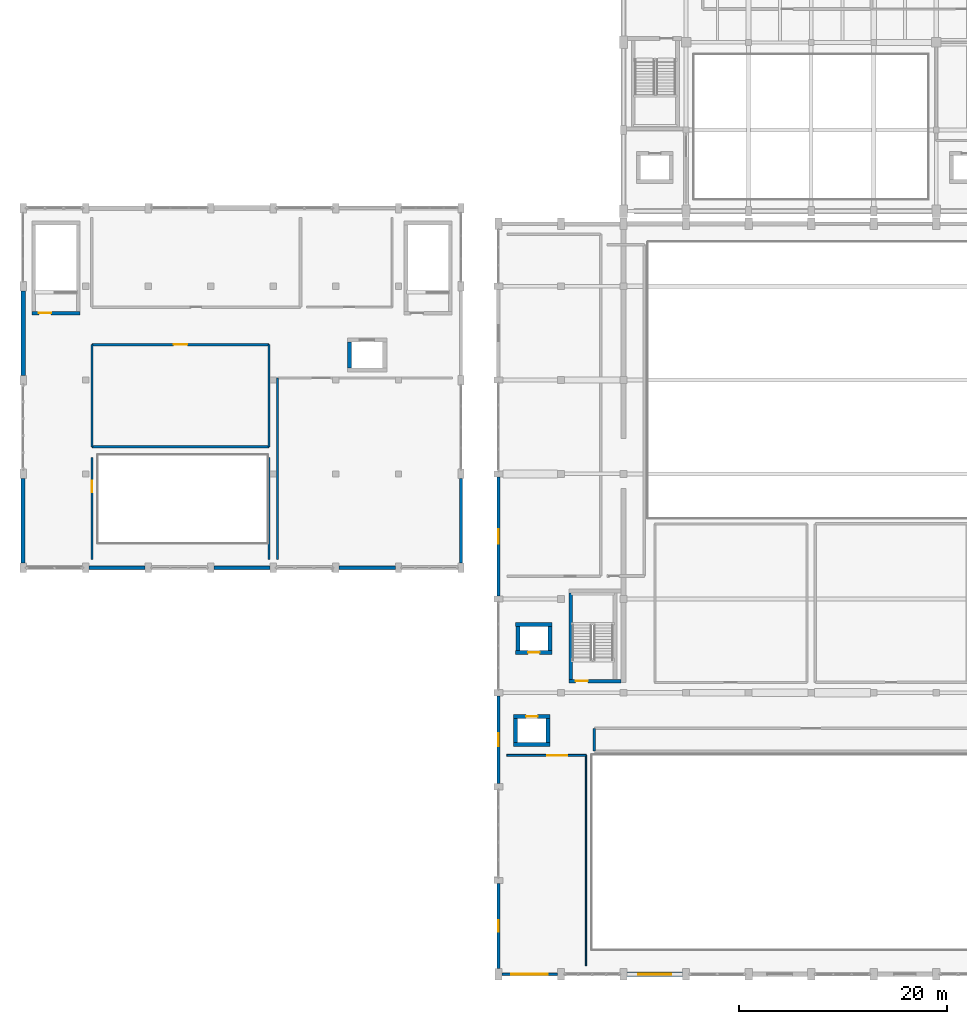
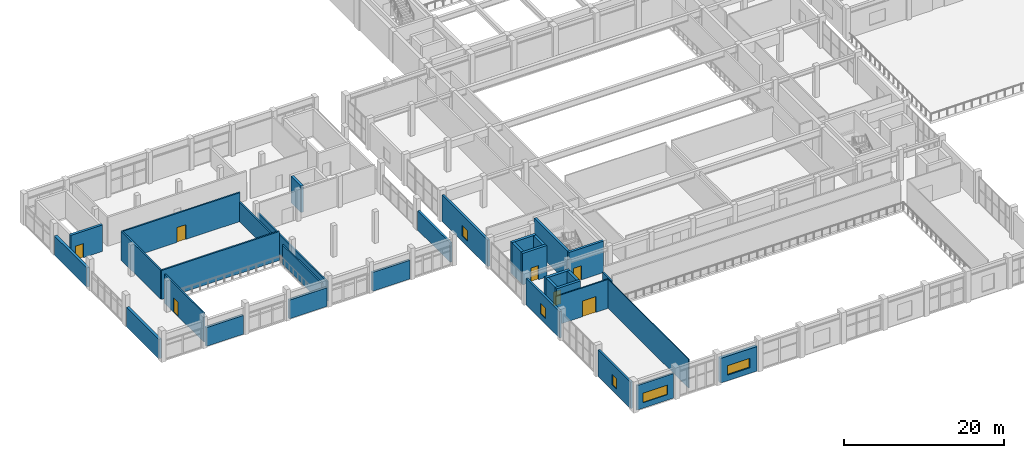
# One storey, part 39 of 62: 33 walls, 7 doors, 5 windows, 12 openings.
"""IFC4 building model written with IfcOpenShell, lengths in metres."""

from ifc_helpers import new_model, si_unit, direction, frame, frame_2d, origin, place, context, subcontext, project, spatial, rectangle, extrude, material, layer, layer_set, type_object, element, fill, save


model = new_model("IFC4")

# Units and contexts
model_context = context("Model", 3, precision=1e-05, world=origin(), true_north=direction((0.0, 1.0)))
body_context = subcontext(model_context, "Body", "Model", "MODEL_VIEW")
ifc_project = project(units=[si_unit("LENGTHUNIT", "METRE"), si_unit("AREAUNIT", "SQUARE_METRE"), si_unit("VOLUMEUNIT", "CUBIC_METRE"), si_unit("PLANEANGLEUNIT", "RADIAN"), si_unit("MASSUNIT", "GRAM", prefix="KILO")], contexts=[model_context])

# Site, building, storey
site_placement = place(None, origin())
site = spatial("IfcSite", under=ifc_project, at=site_placement, CompositionType="ELEMENT")
building_placement = place(site_placement, origin())
building = spatial("IfcBuilding", under=site, at=building_placement, Name="Vaelkrest Opera House", CompositionType="ELEMENT")
storey_placement = place(building_placement, frame((0.0, 0.0, 19.800048828125)))
storey = spatial("IfcBuildingStorey", under=building, at=storey_placement, Name="L04", CompositionType="ELEMENT", Elevation=19.800048828125)

# Wall, opening, window
ifc_material_1 = material(Name="Douglas fir glulam GL28h", Category="wood")
ifc_layer_1 = layer(ifc_material_1, 0.2548828125)
ifc_layer_set_1 = layer_set([ifc_layer_1], Name="Douglas fir glulam GL28h")
wall_type_1 = type_object("IfcWallType", Name="EW01", PredefinedType="STANDARD", material=ifc_layer_set_1)
wall_1_placement = place(storey_placement, frame((-24.347900390625, -55.800048828125, 0.0), z_axis=(0.0, 0.0, 1.0), x_axis=(-1.0, 0.0, 0.0)))
wall_1 = element("IfcWall", 1, at=wall_1_placement, inside=storey, type_object=wall_type_1, Name="Exterior facade wall EW-V1-L04-0101", PredefinedType="STANDARD", context=body_context, shape_type="SweptSolid", body=[
    extrude(rectangle(XDim=5.30419921875, YDim=0.2548828125, at=frame_2d((2.652099609375, 0.0))), origin(), (0.0, 0.0, 1.0), 3.744873046875),
])
opening_1_placement = place(wall_1_placement, frame((0.902099609375, 0.0, 0.85009765625)))
opening_1 = element("IfcOpeningElement", 2, at=opening_1_placement, cuts=wall_1, Name="Opening WN052", PredefinedType="OPENING", context=body_context, shape_type="SweptSolid", body=[
    extrude(rectangle(XDim=3.5, YDim=1.449951171875, at=frame_2d((1.75, 0.72509765625))), frame((0.0, 0.137451171875, 0.0), z_axis=(0.0, -1.0, 0.0), x_axis=(1.0, 0.0, 0.0)), (0.0, 0.0, 1.0), 0.27490234375),
])
ifc_material_2 = material(Name="Double low-E insulated glazing", Category="glass")
window_type_1 = type_object("IfcWindowType", Name="WT26", PartitioningType="SINGLE_PANEL", PredefinedType="WINDOW", material=ifc_material_2)
window_1_placement = place(opening_1_placement, origin())
window_1 = element("IfcWindow", 3, at=window_1_placement, inside=storey, type_object=window_type_1, Name="Facade window WN052", OverallHeight=1.449951171875, OverallWidth=3.5, PartitioningType="SINGLE_PANEL", PredefinedType="WINDOW", context=body_context, shape_type="SweptSolid", body=[
    extrude(rectangle(XDim=3.5, YDim=1.449951171875, at=frame_2d((1.75, 0.72509765625))), frame((0.0, 0.030029296875, 0.0), z_axis=(0.0, -1.0, 0.0), x_axis=(1.0, 0.0, 0.0)), (0.0, 0.0, 1.0), 0.06005859375),
])
fill(opening_1, window_1)

ifc_layer_2 = layer(ifc_material_1, 0.27490234375)
ifc_layer_set_2 = layer_set([ifc_layer_2], Name="Douglas fir glulam GL28h")
wall_type_2 = type_object("IfcWallType", Name="EW02", PredefinedType="STANDARD", material=ifc_layer_set_2)
wall_2_placement = place(storey_placement, frame((-30.0, -55.251953125, 0.0), z_axis=(0.0, 0.0, 1.0), x_axis=(0.0, 1.0, 0.0)))
wall_2 = element("IfcWall", 4, at=wall_2_placement, inside=storey, type_object=wall_type_2, Name="Exterior facade wall EW-V1-L04-0102", PredefinedType="STANDARD", context=body_context, shape_type="SweptSolid", body=[
    extrude(rectangle(XDim=8.154052734375, YDim=0.27490234375, at=frame_2d((4.0771484375, 0.0))), origin(), (0.0, 0.0, 1.0), 4.04296875),
])
opening_2_placement = place(wall_2_placement, frame((3.527099609375, 0.0, 0.85009765625)))
opening_2 = element("IfcOpeningElement", 5, at=opening_2_placement, cuts=wall_2, Name="Opening WN053", PredefinedType="OPENING", context=body_context, shape_type="SweptSolid", body=[
    extrude(rectangle(XDim=1.10009765625, YDim=1.60009765625, at=frame_2d((0.550048828125, 0.800048828125))), frame((0.0, 0.1474609375, 0.0), z_axis=(0.0, -1.0, 0.0), x_axis=(1.0, 0.0, 0.0)), (0.0, 0.0, 1.0), 0.294921875),
])
window_type_2 = type_object("IfcWindowType", Name="WT01", PartitioningType="SINGLE_PANEL", PredefinedType="WINDOW", material=ifc_material_2)
window_2_placement = place(opening_2_placement, origin())
window_2 = element("IfcWindow", 6, at=window_2_placement, inside=storey, type_object=window_type_2, Name="Facade window WN053", OverallHeight=1.60009765625, OverallWidth=1.10009765625, PartitioningType="SINGLE_PANEL", PredefinedType="WINDOW", context=body_context, shape_type="SweptSolid", body=[
    extrude(rectangle(XDim=1.10009765625, YDim=1.60009765625, at=frame_2d((0.550048828125, 0.800048828125))), frame((0.0, 0.030029296875, 0.0), z_axis=(0.0, -1.0, 0.0), x_axis=(1.0, 0.0, 0.0)), (0.0, 0.0, 1.0), 0.06005859375),
])
fill(opening_2, window_2)

ifc_layer_3 = layer(ifc_material_1, 0.294921875)
ifc_layer_set_3 = layer_set([ifc_layer_3], Name="Douglas fir glulam GL28h")
wall_type_3 = type_object("IfcWallType", Name="EW03", PredefinedType="STANDARD", material=ifc_layer_set_3)
wall_3_placement = place(storey_placement, frame((-30.0, -37.501953125, 0.0), z_axis=(0.0, 0.0, 1.0), x_axis=(0.0, 1.0, 0.0)))
wall_3 = element("IfcWall", 7, at=wall_3_placement, inside=storey, type_object=wall_type_3, Name="Exterior facade wall EW-V1-L04-0103", PredefinedType="STANDARD", context=body_context, shape_type="SweptSolid", body=[
    extrude(rectangle(XDim=8.404052734375, YDim=0.294921875, at=frame_2d((4.2021484375, 0.0))), origin(), (0.0, 0.0, 1.0), 4.04296875),
])
opening_3_placement = place(wall_3_placement, frame((3.576904296875, 0.0, 0.85009765625)))
opening_3 = element("IfcOpeningElement", 8, at=opening_3_placement, cuts=wall_3, Name="Opening WN054", PredefinedType="OPENING", context=body_context, shape_type="SweptSolid", body=[
    extrude(rectangle(XDim=1.25, YDim=1.60009765625, at=frame_2d((0.625, 0.800048828125))), frame((0.0, 0.157470703125, 0.0), z_axis=(0.0, -1.0, 0.0), x_axis=(1.0, 0.0, 0.0)), (0.0, 0.0, 1.0), 0.31494140625),
])
window_type_3 = type_object("IfcWindowType", Name="WT02", PartitioningType="SINGLE_PANEL", PredefinedType="WINDOW", material=ifc_material_2)
window_3_placement = place(opening_3_placement, origin())
window_3 = element("IfcWindow", 9, at=window_3_placement, inside=storey, type_object=window_type_3, Name="Facade window WN054", OverallHeight=1.60009765625, OverallWidth=1.25, PartitioningType="SINGLE_PANEL", PredefinedType="WINDOW", context=body_context, shape_type="SweptSolid", body=[
    extrude(rectangle(XDim=1.25, YDim=1.60009765625, at=frame_2d((0.625, 0.800048828125))), frame((0.0, 0.030029296875, 0.0), z_axis=(0.0, -1.0, 0.0), x_axis=(1.0, 0.0, 0.0)), (0.0, 0.0, 1.0), 0.06005859375),
])
fill(opening_3, window_3)

# Wall
wall_4_placement = place(storey_placement, frame((-33.60009765625, -8.248046875, 0.0), z_axis=(0.0, 0.0, 1.0), x_axis=(0.0, -1.0, 0.0)))
element("IfcWall", 10, at=wall_4_placement, inside=storey, type_object=wall_type_3, Name="Exterior facade wall EW-V3-L04-0203", PredefinedType="STANDARD", context=body_context, shape_type="SweptSolid", body=[
    extrude(rectangle(XDim=8.10400390625, YDim=0.294921875, at=frame_2d((4.052001953125, 0.0))), origin(), (0.0, 0.0, 1.0), 2.9580078125),
])

# Wall, opening, window
ifc_material_3 = material(Name="American black walnut acoustic timber", Category="wood")
ifc_layer_4 = layer(ifc_material_3, 0.31494140625)
ifc_layer_set_4 = layer_set([ifc_layer_4], Name="American black walnut acoustic timber")
wall_type_4 = type_object("IfcWallType", Name="EW04", PredefinedType="STANDARD", material=ifc_layer_set_4)
wall_5_placement = place(storey_placement, frame((-30.0, -19.501953125, 0.0), z_axis=(0.0, 0.0, 1.0), x_axis=(0.0, 1.0, 0.0)))
wall_5 = element("IfcWall", 11, at=wall_5_placement, inside=storey, type_object=wall_type_4, Name="Exterior facade wall EW-V1-L04-0104", PredefinedType="STANDARD", context=body_context, shape_type="SweptSolid", body=[
    extrude(rectangle(XDim=11.404052734375, YDim=0.31494140625, at=frame_2d((5.7021484375, 0.0))), origin(), (0.0, 0.0, 1.0), 4.04296875),
])
opening_4_placement = place(wall_5_placement, frame((5.001953125, 0.0, 0.85009765625)))
opening_4 = element("IfcOpeningElement", 12, at=opening_4_placement, cuts=wall_5, Name="Opening WN055", PredefinedType="OPENING", context=body_context, shape_type="SweptSolid", body=[
    extrude(rectangle(XDim=1.39990234375, YDim=1.60009765625, at=frame_2d((0.699951171875, 0.800048828125))), frame((0.0, 0.16748046875, 0.0), z_axis=(0.0, -1.0, 0.0), x_axis=(1.0, 0.0, 0.0)), (0.0, 0.0, 1.0), 0.3349609375),
])
window_type_4 = type_object("IfcWindowType", Name="WT03", PartitioningType="SINGLE_PANEL", PredefinedType="WINDOW", material=ifc_material_2)
window_4_placement = place(opening_4_placement, origin())
window_4 = element("IfcWindow", 13, at=window_4_placement, inside=storey, type_object=window_type_4, Name="Facade window WN055", OverallHeight=1.60009765625, OverallWidth=1.39990234375, PartitioningType="SINGLE_PANEL", PredefinedType="WINDOW", context=body_context, shape_type="SweptSolid", body=[
    extrude(rectangle(XDim=1.39990234375, YDim=1.60009765625, at=frame_2d((0.699951171875, 0.800048828125))), frame((0.0, 0.030029296875, 0.0), z_axis=(0.0, -1.0, 0.0), x_axis=(1.0, 0.0, 0.0)), (0.0, 0.0, 1.0), 0.06005859375),
])
fill(opening_4, window_4)

# Walls
wall_6_placement = place(storey_placement, frame((-39.89794921875, -16.800048828125, 0.0), z_axis=(0.0, 0.0, 1.0), x_axis=(-1.0, 0.0, 0.0)))
element("IfcWall", 14, at=wall_6_placement, inside=storey, type_object=wall_type_4, Name="Exterior facade wall EW-V3-L04-0194", PredefinedType="STANDARD", context=body_context, shape_type="SweptSolid", body=[
    extrude(rectangle(XDim=5.404052734375, YDim=0.31494140625, at=frame_2d((2.7021484375, 0.0))), origin(), (0.0, 0.0, 1.0), 2.85205078125),
])
ifc_layer_5 = layer(ifc_material_3, 0.3349609375)
ifc_layer_set_5 = layer_set([ifc_layer_5], Name="American black walnut acoustic timber")
wall_type_5 = type_object("IfcWallType", Name="EW05", PredefinedType="STANDARD", material=ifc_layer_set_5)
wall_7_placement = place(storey_placement, frame((-51.89794921875, -16.800048828125, 0.0), z_axis=(0.0, 0.0, 1.0), x_axis=(-1.0, 0.0, 0.0)))
element("IfcWall", 15, at=wall_7_placement, inside=storey, type_object=wall_type_5, Name="Exterior facade wall EW-V3-L04-0195", PredefinedType="STANDARD", context=body_context, shape_type="SweptSolid", body=[
    extrude(rectangle(XDim=5.404052734375, YDim=0.3349609375, at=frame_2d((2.7021484375, 0.0))), origin(), (0.0, 0.0, 1.0), 2.85205078125),
])
ifc_layer_6 = layer(ifc_material_3, 0.360107421875)
ifc_layer_set_6 = layer_set([ifc_layer_6], Name="American black walnut acoustic timber")
wall_type_6 = type_object("IfcWallType", Name="EW06", PredefinedType="STANDARD", material=ifc_layer_set_6)
wall_8_placement = place(storey_placement, frame((-63.89794921875, -16.800048828125, 0.0), z_axis=(0.0, 0.0, 1.0), x_axis=(-1.0, 0.0, 0.0)))
element("IfcWall", 16, at=wall_8_placement, inside=storey, type_object=wall_type_6, Name="Exterior facade wall EW-V3-L04-0196", PredefinedType="STANDARD", context=body_context, shape_type="SweptSolid", body=[
    extrude(rectangle(XDim=5.404052734375, YDim=0.360107421875, at=frame_2d((2.7021484375, 0.0))), origin(), (0.0, 0.0, 1.0), 2.85205078125),
])
ifc_material_4 = material(Name="Concrete C40/50", Category="concrete")
ifc_layer_7 = layer(ifc_material_4, 0.385009765625)
ifc_layer_set_7 = layer_set([ifc_layer_7], Name="Concrete C40/50")
wall_type_7 = type_object("IfcWallType", Name="EW07", PredefinedType="STANDARD", material=ifc_layer_set_7)
wall_9_placement = place(storey_placement, frame((-75.60009765625, -16.35205078125, 0.0), z_axis=(0.0, 0.0, 1.0), x_axis=(0.0, 1.0, 0.0)))
element("IfcWall", 17, at=wall_9_placement, inside=storey, type_object=wall_type_7, Name="Exterior facade wall EW-V3-L04-0197", PredefinedType="STANDARD", context=body_context, shape_type="SweptSolid", body=[
    extrude(rectangle(XDim=8.10400390625, YDim=0.385009765625, at=frame_2d((4.052001953125, 0.0))), origin(), (0.0, 0.0, 1.0), 2.9580078125),
])
ifc_layer_8 = layer(ifc_material_4, 0.409912109375)
ifc_layer_set_8 = layer_set([ifc_layer_8], Name="Concrete C40/50")
wall_type_8 = type_object("IfcWallType", Name="EW08", PredefinedType="STANDARD", material=ifc_layer_set_8)
wall_10_placement = place(storey_placement, frame((-75.60009765625, 1.64794921875, 0.0), z_axis=(0.0, 0.0, 1.0), x_axis=(0.0, 1.0, 0.0)))
element("IfcWall", 18, at=wall_10_placement, inside=storey, type_object=wall_type_8, Name="Exterior facade wall EW-V3-L04-0198", PredefinedType="STANDARD", context=body_context, shape_type="SweptSolid", body=[
    extrude(rectangle(XDim=8.10400390625, YDim=0.409912109375, at=frame_2d((4.052001953125, 0.0))), origin(), (0.0, 0.0, 1.0), 2.9580078125),
])

# Wall, opening, window
ifc_layer_9 = layer(ifc_material_4, 0.465087890625)
ifc_layer_set_9 = layer_set([ifc_layer_9], Name="Concrete C40/50")
wall_type_9 = type_object("IfcWallType", Name="EW10", PredefinedType="STANDARD", material=ifc_layer_set_9)
wall_11_placement = place(storey_placement, frame((-12.347900390625, -55.800048828125, 0.0), z_axis=(0.0, 0.0, 1.0), x_axis=(-1.0, 0.0, 0.0)))
wall_11 = element("IfcWall", 19, at=wall_11_placement, inside=storey, type_object=wall_type_9, Name="Exterior facade wall EW-V1-L04-0100", PredefinedType="STANDARD", context=body_context, shape_type="SweptSolid", body=[
    extrude(rectangle(XDim=5.30419921875, YDim=0.465087890625, at=frame_2d((2.652099609375, 0.0))), origin(), (0.0, 0.0, 1.0), 3.744873046875),
])
opening_5_placement = place(wall_11_placement, frame((1.052001953125, 0.0, 0.85009765625)))
opening_5 = element("IfcOpeningElement", 20, at=opening_5_placement, cuts=wall_11, Name="Opening WN051", PredefinedType="OPENING", context=body_context, shape_type="SweptSolid", body=[
    extrude(rectangle(XDim=3.199951171875, YDim=1.449951171875, at=frame_2d((1.60009765625, 0.72509765625))), frame((0.0, 0.242431640625, 0.0), z_axis=(0.0, -1.0, 0.0), x_axis=(1.0, 0.0, 0.0)), (0.0, 0.0, 1.0), 0.485107421875),
])
window_type_5 = type_object("IfcWindowType", Name="WT25", PartitioningType="SINGLE_PANEL", PredefinedType="WINDOW", material=ifc_material_2)
window_5_placement = place(opening_5_placement, origin())
window_5 = element("IfcWindow", 21, at=window_5_placement, inside=storey, type_object=window_type_5, Name="Facade window WN051", OverallHeight=1.449951171875, OverallWidth=3.199951171875, PartitioningType="SINGLE_PANEL", PredefinedType="WINDOW", context=body_context, shape_type="SweptSolid", body=[
    extrude(rectangle(XDim=3.199951171875, YDim=1.449951171875, at=frame_2d((1.60009765625, 0.72509765625))), frame((0.0, 0.030029296875, 0.0), z_axis=(0.0, -1.0, 0.0), x_axis=(1.0, 0.0, 0.0)), (0.0, 0.0, 1.0), 0.06005859375),
])
fill(opening_5, window_5)

# Wall
ifc_material_5 = material(Name="Gypsum acoustic board", Category="gypsum")
ifc_layer_10 = layer(ifc_material_5, 0.1201171875)
ifc_layer_set_10 = layer_set([ifc_layer_10], Name="Gypsum acoustic board")
wall_type_10 = type_object("IfcWallType", Name="PT01", PredefinedType="PARTITIONING", material=ifc_layer_set_10)
wall_12_placement = place(storey_placement, frame((-21.60009765625, -55.0, 0.0), z_axis=(0.0, 0.0, 1.0), x_axis=(0.0, 1.0, 0.0)))
element("IfcWall", 22, at=wall_12_placement, inside=storey, type_object=wall_type_10, Name="Interior partition PT-V1-L04-0099", PredefinedType="PARTITIONING", context=body_context, shape_type="SweptSolid", body=[
    extrude(rectangle(XDim=20.199951171875, YDim=0.1201171875, at=frame_2d((10.10009765625, 0.0))), origin(), (0.0, 0.0, 1.0), 4.419921875),
])

# Wall, opening, door
ifc_layer_11 = layer(ifc_material_5, 0.195068359375)
ifc_layer_set_11 = layer_set([ifc_layer_11], Name="Gypsum acoustic board")
wall_type_11 = type_object("IfcWallType", Name="PT06", PredefinedType="PARTITIONING", material=ifc_layer_set_11)
wall_13_placement = place(storey_placement, frame((-69.0, -16.0, 0.0), z_axis=(0.0, 0.0, 1.0), x_axis=(0.0, 1.0, 0.0)))
wall_13 = element("IfcWall", 23, at=wall_13_placement, inside=storey, type_object=wall_type_11, Name="Interior partition PT-V3-L04-0314", PredefinedType="PARTITIONING", context=body_context, shape_type="SweptSolid", body=[
    extrude(rectangle(XDim=9.800048828125, YDim=0.195068359375, at=frame_2d((4.89990234375, 0.0))), origin(), (0.0, 0.0, 1.0), 4.419921875),
])
opening_6_placement = place(wall_13_placement, frame((6.449951171875, 0.0, 0.0)))
opening_6 = element("IfcOpeningElement", 24, at=opening_6_placement, cuts=wall_13, Name="Opening D126", PredefinedType="OPENING", context=body_context, shape_type="SweptSolid", body=[
    extrude(rectangle(XDim=1.10009765625, YDim=2.199951171875, at=frame_2d((0.550048828125, 1.10009765625))), frame((0.0, 0.107421875, 0.0), z_axis=(0.0, -1.0, 0.0), x_axis=(1.0, 0.0, 0.0)), (0.0, 0.0, 1.0), 0.215087890625),
])
door_type_1 = type_object("IfcDoorType", Name="DT06", OperationType="NOTDEFINED", PredefinedType="DOOR", material=ifc_material_3)
door_1_placement = place(opening_6_placement, origin())
door_1 = element("IfcDoor", 25, at=door_1_placement, inside=storey, type_object=door_type_1, Name="Interior door D126 (Education Studio)", OperationType="SINGLE_SWING_RIGHT", OverallHeight=2.199951171875, OverallWidth=1.10009765625, PredefinedType="DOOR", context=body_context, shape_type="SweptSolid", body=[
    extrude(rectangle(XDim=1.10009765625, YDim=2.199951171875, at=frame_2d((0.550048828125, 1.10009765625))), frame((0.0, 0.02490234375, 0.0), z_axis=(0.0, -1.0, 0.0), x_axis=(1.0, 0.0, 0.0)), (0.0, 0.0, 1.0), 0.050048828125),
])
fill(opening_6, door_1)

# Walls
ifc_layer_12 = layer(ifc_material_3, 0.2099609375)
ifc_layer_set_12 = layer_set([ifc_layer_12], Name="American black walnut acoustic timber")
wall_type_12 = type_object("IfcWallType", Name="PT07", PredefinedType="PARTITIONING", material=ifc_layer_set_12)
wall_14_placement = place(storey_placement, frame((-52.0, -16.0, 0.0), z_axis=(0.0, 0.0, 1.0), x_axis=(0.0, 1.0, 0.0)))
element("IfcWall", 26, at=wall_14_placement, inside=storey, type_object=wall_type_12, Name="Interior partition PT-V3-L04-0315", PredefinedType="PARTITIONING", context=body_context, shape_type="SweptSolid", body=[
    extrude(rectangle(XDim=9.800048828125, YDim=0.2099609375, at=frame_2d((4.89990234375, 0.0))), origin(), (0.0, 0.0, 1.0), 2.9580078125),
])
wall_15_placement = place(storey_placement, frame((-51.199951171875, -16.0, 0.0), z_axis=(0.0, 0.0, 1.0), x_axis=(0.0, 1.0, 0.0)))
element("IfcWall", 27, at=wall_15_placement, inside=storey, type_object=wall_type_12, Name="Interior partition PT-V3-L04-0317", PredefinedType="PARTITIONING", context=body_context, shape_type="SweptSolid", body=[
    extrude(rectangle(XDim=17.39990234375, YDim=0.2099609375, at=frame_2d((8.699951171875, 0.0))), origin(), (0.0, 0.0, 1.0), 2.9580078125),
])

# Wall, opening, door
wall_16_placement = place(storey_placement, frame((-69.0, 4.60009765625, 0.0), z_axis=(0.0, 0.0, 1.0), x_axis=(1.0, 0.0, 0.0)))
wall_16 = element("IfcWall", 28, at=wall_16_placement, inside=storey, type_object=wall_type_12, Name="Interior partition PT-V3-L04-0319", PredefinedType="PARTITIONING", context=body_context, shape_type="SweptSolid", body=[
    extrude(rectangle(XDim=17.0, YDim=0.2099609375, at=frame_2d((8.5, 0.0))), origin(), (0.0, 0.0, 1.0), 4.419921875),
])
opening_7_placement = place(wall_16_placement, frame((7.85009765625, 0.0, 0.0)))
opening_7 = element("IfcOpeningElement", 29, at=opening_7_placement, cuts=wall_16, Name="Opening D128", PredefinedType="OPENING", context=body_context, shape_type="SweptSolid", body=[
    extrude(rectangle(XDim=1.300048828125, YDim=2.25, at=frame_2d((0.64990234375, 1.125))), frame((0.0, 0.114990234375, 0.0), z_axis=(0.0, -1.0, 0.0), x_axis=(1.0, 0.0, 0.0)), (0.0, 0.0, 1.0), 0.22998046875),
])
door_type_2 = type_object("IfcDoorType", Name="DT09", OperationType="NOTDEFINED", PredefinedType="DOOR", material=ifc_material_3)
door_2_placement = place(opening_7_placement, origin())
door_2 = element("IfcDoor", 30, at=door_2_placement, inside=storey, type_object=door_type_2, Name="Interior door D128 (Broadcast Suite)", OperationType="SINGLE_SWING_LEFT", OverallHeight=2.25, OverallWidth=1.300048828125, PredefinedType="DOOR", context=body_context, shape_type="SweptSolid", body=[
    extrude(rectangle(XDim=1.300048828125, YDim=2.25, at=frame_2d((0.64990234375, 1.125))), frame((0.0, 0.02490234375, 0.0), z_axis=(0.0, -1.0, 0.0), x_axis=(1.0, 0.0, 0.0)), (0.0, 0.0, 1.0), 0.050048828125),
])
fill(opening_7, door_2)

# Walls
wall_17_placement = place(storey_placement, frame((-52.0, -5.199951171875, 0.0), z_axis=(0.0, 0.0, 1.0), x_axis=(0.0, 1.0, 0.0)))
element("IfcWall", 31, at=wall_17_placement, inside=storey, type_object=wall_type_12, Name="Interior partition PT-V3-L04-0321", PredefinedType="PARTITIONING", context=body_context, shape_type="SweptSolid", body=[
    extrude(rectangle(XDim=9.800048828125, YDim=0.2099609375, at=frame_2d((4.89990234375, 0.0))), origin(), (0.0, 0.0, 1.0), 2.9580078125),
])
ifc_layer_13 = layer(ifc_material_3, 0.22509765625)
ifc_layer_set_13 = layer_set([ifc_layer_13], Name="American black walnut acoustic timber")
wall_type_13 = type_object("IfcWallType", Name="PT08", PredefinedType="PARTITIONING", material=ifc_layer_set_13)
wall_18_placement = place(storey_placement, frame((-20.800048828125, -34.39990234375, 0.0), z_axis=(0.0, 0.0, 1.0), x_axis=(0.0, 1.0, 0.0)))
element("IfcWall", 32, at=wall_18_placement, inside=storey, type_object=wall_type_13, Name="Interior partition PT-V1-L04-0126", PredefinedType="PARTITIONING", context=body_context, shape_type="SweptSolid", body=[
    extrude(rectangle(XDim=2.199951171875, YDim=0.22509765625, at=frame_2d((1.10009765625, 0.0))), origin(), (0.0, 0.0, 1.0), 3.626953125),
])
wall_19_placement = place(storey_placement, frame((-69.0, -5.199951171875, 0.0), z_axis=(0.0, 0.0, 1.0), x_axis=(1.0, 0.0, 0.0)))
element("IfcWall", 33, at=wall_19_placement, inside=storey, type_object=wall_type_13, Name="Interior partition PT-V3-L04-0318", PredefinedType="PARTITIONING", context=body_context, shape_type="SweptSolid", body=[
    extrude(rectangle(XDim=17.0, YDim=0.22509765625, at=frame_2d((8.5, 0.0))), origin(), (0.0, 0.0, 1.0), 4.419921875),
])
wall_20_placement = place(storey_placement, frame((-69.0, -5.199951171875, 0.0), z_axis=(0.0, 0.0, 1.0), x_axis=(0.0, 1.0, 0.0)))
element("IfcWall", 34, at=wall_20_placement, inside=storey, type_object=wall_type_13, Name="Interior partition PT-V3-L04-0320", PredefinedType="PARTITIONING", context=body_context, shape_type="SweptSolid", body=[
    extrude(rectangle(XDim=9.800048828125, YDim=0.22509765625, at=frame_2d((4.89990234375, 0.0))), origin(), (0.0, 0.0, 1.0), 4.419921875),
])

# Wall, opening, door
ifc_layer_14 = layer(ifc_material_3, 0.175048828125)
ifc_layer_set_14 = layer_set([ifc_layer_14], Name="American black walnut acoustic timber")
wall_type_14 = type_object("IfcWallType", Name="PT14", PredefinedType="PARTITIONING", material=ifc_layer_set_14)
wall_21_placement = place(storey_placement, frame((-29.199951171875, -34.800048828125, 0.0), z_axis=(0.0, 0.0, 1.0), x_axis=(1.0, 0.0, 0.0)))
wall_21 = element("IfcWall", 35, at=wall_21_placement, inside=storey, type_object=wall_type_14, Name="Interior partition PT-V1-L04-0098", PredefinedType="PARTITIONING", context=body_context, shape_type="SweptSolid", body=[
    extrude(rectangle(XDim=7.599853515625, YDim=0.175048828125, at=frame_2d((3.7998046875, 0.0))), origin(), (0.0, 0.0, 1.0), 4.419921875),
])
opening_8_placement = place(wall_21_placement, frame((3.8759765625, 0.0, 0.0)))
opening_8 = element("IfcOpeningElement", 36, at=opening_8_placement, cuts=wall_21, Name="Opening D039", PredefinedType="OPENING", context=body_context, shape_type="SweptSolid", body=[
    extrude(rectangle(XDim=1.919921875, YDim=2.39990234375, at=frame_2d((0.9599609375, 1.199951171875))), frame((0.0, 0.097412109375, 0.0), z_axis=(0.0, -1.0, 0.0), x_axis=(1.0, 0.0, 0.0)), (0.0, 0.0, 1.0), 0.195068359375),
])
door_type_3 = type_object("IfcDoorType", Name="DT25", OperationType="DOUBLE_DOOR_SINGLE_SWING", PredefinedType="DOOR", material=ifc_material_3)
door_3_placement = place(opening_8_placement, origin())
door_3 = element("IfcDoor", 37, at=door_3_placement, inside=storey, type_object=door_type_3, Name="Interior door D039 (Amphitheatre Lounge)", OperationType="DOUBLE_DOOR_SINGLE_SWING", OverallHeight=2.39990234375, OverallWidth=1.919921875, PredefinedType="DOOR", context=body_context, shape_type="SweptSolid", body=[
    extrude(rectangle(XDim=1.919921875, YDim=2.39990234375, at=frame_2d((0.9599609375, 1.199951171875))), frame((0.0, 0.02490234375, 0.0), z_axis=(0.0, -1.0, 0.0), x_axis=(1.0, 0.0, 0.0)), (0.0, 0.0, 1.0), 0.050048828125),
])
fill(opening_8, door_3)

ifc_material_6 = material(Name="Concrete C50/60", Category="concrete")
ifc_layer_15 = layer(ifc_material_6, 0.35009765625)
ifc_layer_set_15 = layer_set([ifc_layer_15], Name="Concrete C50/60")
wall_type_15 = type_object("IfcWallType", Name="SW01", PredefinedType="SHEAR", material=ifc_layer_set_15)
wall_22_placement = place(storey_placement, frame((-18.22509765625, -27.675048828125, 0.0), z_axis=(0.0, 0.0, 1.0), x_axis=(-1.0, 0.0, 0.0)))
wall_22 = element("IfcWall", 38, at=wall_22_placement, inside=storey, type_object=wall_type_15, Name="Stair core ST01 wall L04 S", PredefinedType="SHEAR", context=body_context, shape_type="SweptSolid", body=[
    extrude(rectangle(XDim=5.02490234375, YDim=0.35009765625, at=frame_2d((2.512451171875, 0.0))), origin(), (0.0, 0.0, 1.0), 4.800048828125),
])
opening_9_placement = place(wall_22_placement, frame((3.195068359375, 0.0, 0.0)))
opening_9 = element("IfcOpeningElement", 39, at=opening_9_placement, cuts=wall_22, Name="Opening SD-ST01-L04", PredefinedType="OPENING", context=body_context, shape_type="SweptSolid", body=[
    extrude(rectangle(XDim=1.179931640625, YDim=2.14990234375, at=frame_2d((0.58984375, 1.074951171875))), frame((0.0, 0.18505859375, 0.0), z_axis=(0.0, -1.0, 0.0), x_axis=(1.0, 0.0, 0.0)), (0.0, 0.0, 1.0), 0.3701171875),
])
door_type_4 = type_object("IfcDoorType", Name="DT07", OperationType="NOTDEFINED", PredefinedType="DOOR", material=ifc_material_3)
door_4_placement = place(opening_9_placement, origin())
door_4 = element("IfcDoor", 40, at=door_4_placement, inside=storey, type_object=door_type_4, Name="Protected stair door SD-ST01-L04", OperationType="SINGLE_SWING_LEFT", OverallHeight=2.14990234375, OverallWidth=1.179931640625, PredefinedType="DOOR", context=body_context, shape_type="SweptSolid", body=[
    extrude(rectangle(XDim=1.179931640625, YDim=2.14990234375, at=frame_2d((0.58984375, 1.074951171875))), frame((0.0, 0.02490234375, 0.0), z_axis=(0.0, -1.0, 0.0), x_axis=(1.0, 0.0, 0.0)), (0.0, 0.0, 1.0), 0.050048828125),
])
fill(opening_9, door_4)

# Wall
wall_23_placement = place(storey_placement, frame((-23.074951171875, -27.5, 0.0), z_axis=(0.0, 0.0, 1.0), x_axis=(0.0, 1.0, 0.0)))
element("IfcWall", 41, at=wall_23_placement, inside=storey, type_object=wall_type_15, Name="Stair core ST01 wall L04 W", PredefinedType="SHEAR", context=body_context, shape_type="SweptSolid", body=[
    extrude(rectangle(XDim=8.300048828125, YDim=0.35009765625, at=frame_2d((4.14990234375, 0.0))), origin(), (0.0, 0.0, 1.0), 4.800048828125),
])

# Wall, opening, door
wall_24_placement = place(storey_placement, frame((-70.14990234375, 7.625, 0.0), z_axis=(0.0, 0.0, 1.0), x_axis=(-1.0, 0.0, 0.0)))
wall_24 = element("IfcWall", 42, at=wall_24_placement, inside=storey, type_object=wall_type_15, Name="Stair core ST07 wall L04 S", PredefinedType="SHEAR", context=body_context, shape_type="SweptSolid", body=[
    extrude(rectangle(XDim=4.60009765625, YDim=0.35009765625, at=frame_2d((2.300048828125, 0.0))), origin(), (0.0, 0.0, 1.0), 4.044921875),
])
opening_10_placement = place(wall_24_placement, frame((2.77001953125, 0.0, 0.0)))
opening_10 = element("IfcOpeningElement", 43, at=opening_10_placement, cuts=wall_24, Name="Opening SD-ST07-L04", PredefinedType="OPENING", context=body_context, shape_type="SweptSolid", body=[
    extrude(rectangle(XDim=1.179931640625, YDim=2.14990234375, at=frame_2d((0.58984375, 1.074951171875))), frame((0.0, 0.18505859375, 0.0), z_axis=(0.0, -1.0, 0.0), x_axis=(1.0, 0.0, 0.0)), (0.0, 0.0, 1.0), 0.3701171875),
])
door_5_placement = place(opening_10_placement, origin())
door_5 = element("IfcDoor", 44, at=door_5_placement, inside=storey, type_object=door_type_4, Name="Protected stair door SD-ST07-L04", OperationType="SINGLE_SWING_LEFT", OverallHeight=2.14990234375, OverallWidth=1.179931640625, PredefinedType="DOOR", context=body_context, shape_type="SweptSolid", body=[
    extrude(rectangle(XDim=1.179931640625, YDim=2.14990234375, at=frame_2d((0.58984375, 1.074951171875))), frame((0.0, 0.02490234375, 0.0), z_axis=(0.0, -1.0, 0.0), x_axis=(1.0, 0.0, 0.0)), (0.0, 0.0, 1.0), 0.050048828125),
])
fill(opening_10, door_5)

ifc_layer_16 = layer(ifc_material_6, 0.389892578125)
ifc_layer_set_16 = layer_set([ifc_layer_16], Name="Concrete C50/60")
wall_type_16 = type_object("IfcWallType", Name="SW02", PredefinedType="SHEAR", material=ifc_layer_set_16)
wall_25_placement = place(storey_placement, frame((-24.860107421875, -24.945068359375, 0.0), z_axis=(0.0, 0.0, 1.0), x_axis=(-1.0, 0.0, 0.0)))
wall_25 = element("IfcWall", 45, at=wall_25_placement, inside=storey, type_object=wall_type_16, Name="Lift shaft LP01 wall L04 S", PredefinedType="SHEAR", context=body_context, shape_type="SweptSolid", body=[
    extrude(rectangle(XDim=3.47998046875, YDim=0.389892578125, at=frame_2d((1.739990234375, 0.0))), origin(), (0.0, 0.0, 1.0), 4.800048828125),
])
opening_11_placement = place(wall_25_placement, frame((1.18994140625, 0.0, 0.0)))
opening_11 = element("IfcOpeningElement", 46, at=opening_11_placement, cuts=wall_25, Name="Opening LD-LP01-L04", PredefinedType="OPENING", context=body_context, shape_type="SweptSolid", body=[
    extrude(rectangle(XDim=1.10009765625, YDim=2.14990234375, at=frame_2d((0.550048828125, 1.074951171875))), frame((0.0, 0.204833984375, 0.0), z_axis=(0.0, -1.0, 0.0), x_axis=(1.0, 0.0, 0.0)), (0.0, 0.0, 1.0), 0.409912109375),
])
ifc_material_7 = material(Name="Dark bronze anodized aluminium", Category="aluminium")
door_type_5 = type_object("IfcDoorType", Name="LDT01", OperationType="SLIDING_TO_LEFT", PredefinedType="DOOR", material=ifc_material_7)
door_6_placement = place(opening_11_placement, origin())
door_6 = element("IfcDoor", 47, at=door_6_placement, inside=storey, type_object=door_type_5, Name="Lift landing sliding door LD-LP01-L04", OperationType="SLIDING_TO_LEFT", OverallHeight=2.14990234375, OverallWidth=1.10009765625, PredefinedType="DOOR", context=body_context, shape_type="SweptSolid", body=[
    extrude(rectangle(XDim=1.10009765625, YDim=2.14990234375, at=frame_2d((0.550048828125, 1.074951171875))), frame((0.0, 0.02490234375, 0.0), z_axis=(0.0, -1.0, 0.0), x_axis=(1.0, 0.0, 0.0)), (0.0, 0.0, 1.0), 0.050048828125),
])
fill(opening_11, door_6)

# Walls
wall_26_placement = place(storey_placement, frame((-28.340087890625, -22.2548828125, 0.0), z_axis=(0.0, 0.0, 1.0), x_axis=(1.0, 0.0, 0.0)))
element("IfcWall", 48, at=wall_26_placement, inside=storey, type_object=wall_type_16, Name="Lift shaft LP01 wall L04 N", PredefinedType="SHEAR", context=body_context, shape_type="SweptSolid", body=[
    extrude(rectangle(XDim=3.47998046875, YDim=0.389892578125, at=frame_2d((1.739990234375, 0.0))), origin(), (0.0, 0.0, 1.0), 4.800048828125),
])
for number, where, z_axis, x_axis, name in (
    (49, (-28.14501953125, -24.75, 0.0), (0.0, 0.0, 1.0), (0.0, 1.0, 0.0), "Lift shaft LP01 wall L04 W"),
    (50, (-25.054931640625, -22.449951171875, 0.0), (0.0, 0.0, 1.0), (0.0, -1.0, 0.0), "Lift shaft LP01 wall L04 E"),
):
    element("IfcWall", number, at=place(storey_placement, frame(where, z_axis=z_axis, x_axis=x_axis)), inside=storey, type_object=wall_type_16, Name=name, PredefinedType="SHEAR", context=body_context, shape_type="SweptSolid", body=[
        extrude(rectangle(XDim=2.300048828125, YDim=0.389892578125, at=frame_2d((1.14990234375, 0.0))), origin(), (0.0, 0.0, 1.0), 4.800048828125),
    ])
wall_27_placement = place(storey_placement, frame((-25.06005859375, -33.7451171875, 0.0), z_axis=(0.0, 0.0, 1.0), x_axis=(-1.0, 0.0, 0.0)))
element("IfcWall", 51, at=wall_27_placement, inside=storey, type_object=wall_type_16, Name="Lift shaft LP03 wall L04 S", PredefinedType="SHEAR", context=body_context, shape_type="SweptSolid", body=[
    extrude(rectangle(XDim=3.47998046875, YDim=0.389892578125, at=frame_2d((1.739990234375, 0.0))), origin(), (0.0, 0.0, 1.0), 4.800048828125),
])

# Wall, opening, door
wall_28_placement = place(storey_placement, frame((-28.5400390625, -31.054931640625, 0.0), z_axis=(0.0, 0.0, 1.0), x_axis=(1.0, 0.0, 0.0)))
wall_28 = element("IfcWall", 52, at=wall_28_placement, inside=storey, type_object=wall_type_16, Name="Lift shaft LP03 wall L04 N", PredefinedType="SHEAR", context=body_context, shape_type="SweptSolid", body=[
    extrude(rectangle(XDim=3.47998046875, YDim=0.389892578125, at=frame_2d((1.739990234375, 0.0))), origin(), (0.0, 0.0, 1.0), 4.800048828125),
])
opening_12_placement = place(wall_28_placement, frame((1.18994140625, 0.0, 0.0)))
opening_12 = element("IfcOpeningElement", 53, at=opening_12_placement, cuts=wall_28, Name="Opening LD-LP03-L04", PredefinedType="OPENING", context=body_context, shape_type="SweptSolid", body=[
    extrude(rectangle(XDim=1.10009765625, YDim=2.14990234375, at=frame_2d((0.550048828125, 1.074951171875))), frame((0.0, 0.204833984375, 0.0), z_axis=(0.0, -1.0, 0.0), x_axis=(1.0, 0.0, 0.0)), (0.0, 0.0, 1.0), 0.409912109375),
])
door_7_placement = place(opening_12_placement, origin())
door_7 = element("IfcDoor", 54, at=door_7_placement, inside=storey, type_object=door_type_5, Name="Lift landing sliding door LD-LP03-L04", OperationType="SLIDING_TO_LEFT", OverallHeight=2.14990234375, OverallWidth=1.10009765625, PredefinedType="DOOR", context=body_context, shape_type="SweptSolid", body=[
    extrude(rectangle(XDim=1.10009765625, YDim=2.14990234375, at=frame_2d((0.550048828125, 1.074951171875))), frame((0.0, 0.02490234375, 0.0), z_axis=(0.0, -1.0, 0.0), x_axis=(1.0, 0.0, 0.0)), (0.0, 0.0, 1.0), 0.050048828125),
])
fill(opening_12, door_7)

# Walls
for number, where, z_axis, x_axis, name in (
    (55, (-28.344970703125, -33.550048828125, 0.0), (0.0, 0.0, 1.0), (0.0, 1.0, 0.0), "Lift shaft LP03 wall L04 W"),
    (56, (-25.2548828125, -31.25, 0.0), (0.0, 0.0, 1.0), (0.0, -1.0, 0.0), "Lift shaft LP03 wall L04 E"),
):
    element("IfcWall", number, at=place(storey_placement, frame(where, z_axis=z_axis, x_axis=x_axis)), inside=storey, type_object=wall_type_16, Name=name, PredefinedType="SHEAR", context=body_context, shape_type="SweptSolid", body=[
        extrude(rectangle(XDim=2.300048828125, YDim=0.389892578125, at=frame_2d((1.14990234375, 0.0))), origin(), (0.0, 0.0, 1.0), 4.800048828125),
    ])
wall_29_placement = place(storey_placement, frame((-44.294921875, 2.35009765625, 0.0), z_axis=(0.0, 0.0, 1.0), x_axis=(0.0, 1.0, 0.0)))
element("IfcWall", 57, at=wall_29_placement, inside=storey, type_object=wall_type_16, Name="Lift shaft LP05 wall L04 W", PredefinedType="SHEAR", context=body_context, shape_type="SweptSolid", body=[
    extrude(rectangle(XDim=2.5, YDim=0.389892578125, at=frame_2d((1.25, 0.0))), origin(), (0.0, 0.0, 1.0), 4.044921875),
])

save(model, "model.ifc")
